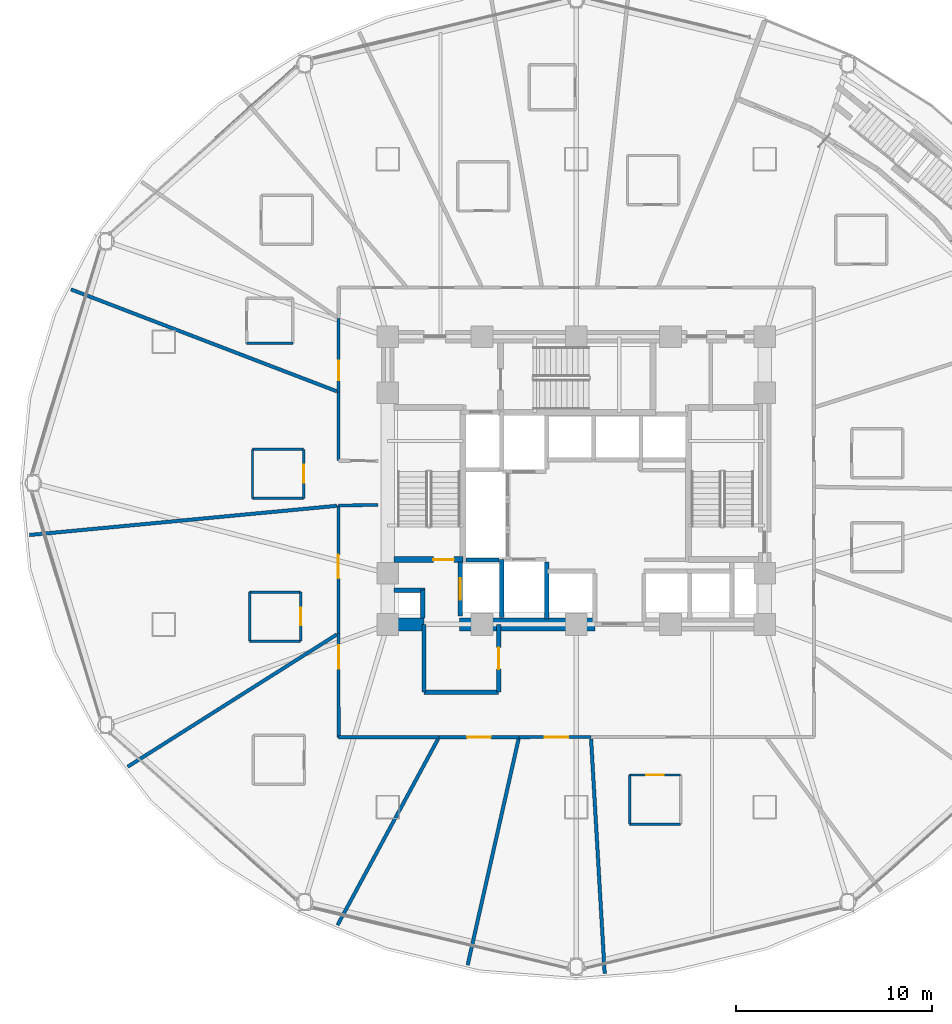
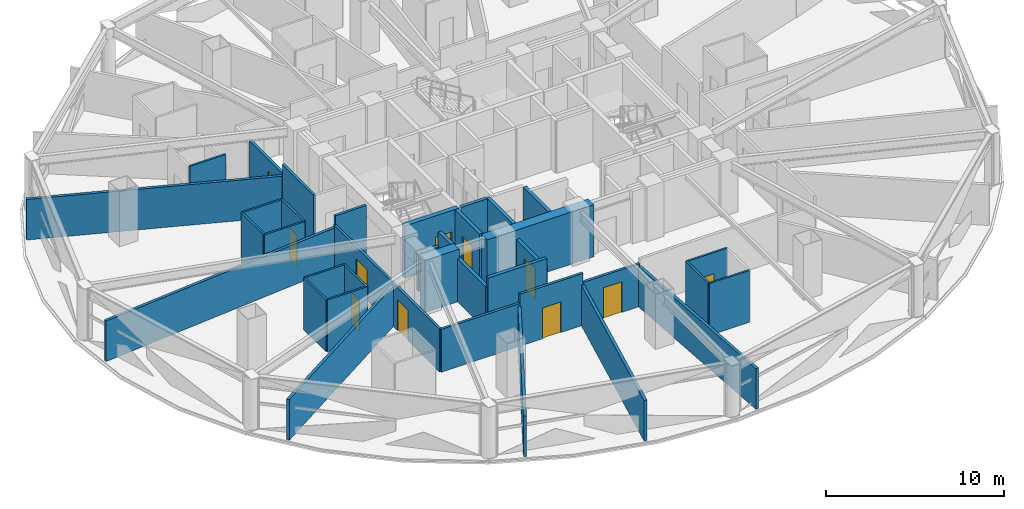
# One storey, part 24 of 33: 38 walls, 11 doors, 11 openings.
"""IFC4 building model written with IfcOpenShell, lengths in metres."""

from ifc_helpers import new_model, si_unit, direction, frame, frame_2d, origin, place, context, subcontext, project, spatial, rectangle, extrude, material, layer, layer_set, type_object, element, fill, save


model = new_model("IFC4")

# Units and contexts
model_context = context("Model", 3, precision=1e-05, world=origin(), true_north=direction((0.0, 1.0)))
body_context = subcontext(model_context, "Body", "Model", "MODEL_VIEW")
ifc_project = project(units=[si_unit("LENGTHUNIT", "METRE"), si_unit("AREAUNIT", "SQUARE_METRE"), si_unit("VOLUMEUNIT", "CUBIC_METRE"), si_unit("PLANEANGLEUNIT", "RADIAN"), si_unit("MASSUNIT", "GRAM", prefix="KILO")], contexts=[model_context])

# Site, building, storey
site_placement = place(None, origin())
site = spatial("IfcSite", under=ifc_project, at=site_placement, CompositionType="ELEMENT")
building_placement = place(site_placement, origin())
building = spatial("IfcBuilding", under=site, at=building_placement, Name="Vantalir Tower", CompositionType="ELEMENT")
storey_placement = place(building_placement, frame((0.0, 0.0, 68.25)))
storey = spatial("IfcBuildingStorey", under=building, at=storey_placement, Name="L16", CompositionType="ELEMENT", Elevation=68.25)

# Walls
ifc_material_1 = material(Name="Moisture-resistant en-suite partition", Category="gypsum")
ifc_layer_1 = layer(ifc_material_1, 0.125)
ifc_layer_set_1 = layer_set([ifc_layer_1], Name="Moisture-resistant en-suite partition")
wall_type_1 = type_object("IfcWallType", Name="WL-BATH-125", PredefinedType="PARTITIONING", material=ifc_layer_set_1)
wall_1_placement = place(storey_placement, frame((14.718017578125, 32.110107421875, 0.0), z_axis=(0.0, 0.0, 1.0), x_axis=(1.0, 0.0, 0.0)))
element("IfcWall", 1, at=wall_1_placement, inside=storey, type_object=wall_type_1, Name="L16 En-suite 07 South Wall", PredefinedType="PARTITIONING", context=body_context, shape_type="SweptSolid", body=[
    extrude(rectangle(XDim=2.35009765625, YDim=0.125, at=frame_2d((1.175048828125, 0.0))), origin(), (0.0, 0.0, 1.0), 3.550048828125),
])
for number, where, z_axis, x_axis, name in (
    (2, (15.014892578125, 24.221923828125, 0.0), (0.0, 0.0, 1.0), (1.0, 0.0, 0.0), "L16 En-suite 08 South Wall"),
    (3, (15.014892578125, 26.721923828125, 0.0), (0.0, 0.0, 1.0), (1.0, 0.0, 0.0), "L16 En-suite 08 North Wall"),
):
    element("IfcWall", number, at=place(storey_placement, frame(where, z_axis=z_axis, x_axis=x_axis)), inside=storey, type_object=wall_type_1, Name=name, PredefinedType="PARTITIONING", context=body_context, shape_type="SweptSolid", body=[
        extrude(rectangle(XDim=2.60009765625, YDim=0.125, at=frame_2d((1.300048828125, 0.0))), origin(), (0.0, 0.0, 1.0), 3.550048828125),
    ])
wall_2_placement = place(storey_placement, frame((15.014892578125, 24.221923828125, 0.0), z_axis=(0.0, 0.0, 1.0), x_axis=(0.0, 1.0, 0.0)))
element("IfcWall", 4, at=wall_2_placement, inside=storey, type_object=wall_type_1, Name="L16 En-suite 08 West Wall", PredefinedType="PARTITIONING", context=body_context, shape_type="SweptSolid", body=[
    extrude(rectangle(XDim=2.5, YDim=0.125, at=frame_2d((1.25, 0.0))), origin(), (0.0, 0.0, 1.0), 3.550048828125),
])

# Wall, opening, door
wall_3_placement = place(storey_placement, frame((17.614990234375, 24.221923828125, 0.0), z_axis=(0.0, 0.0, 1.0), x_axis=(0.0, 1.0, 0.0)))
wall_3 = element("IfcWall", 5, at=wall_3_placement, inside=storey, type_object=wall_type_1, Name="L16 En-suite 08 East Wall", PredefinedType="PARTITIONING", context=body_context, shape_type="SweptSolid", body=[
    extrude(rectangle(XDim=2.5, YDim=0.125, at=frame_2d((1.25, 0.0))), origin(), (0.0, 0.0, 1.0), 3.550048828125),
])
opening_1_placement = place(wall_3_placement, frame((0.800048828125, 0.0, 0.0)))
opening_1 = element("IfcOpeningElement", 6, at=opening_1_placement, cuts=wall_3, Name="Opening D-WC", PredefinedType="OPENING", context=body_context, shape_type="SweptSolid", body=[
    extrude(rectangle(XDim=0.89990234375, YDim=2.10009765625, at=frame_2d((0.449951171875, 1.050048828125))), frame((0.0, 0.072509765625, 0.0), z_axis=(0.0, -1.0, 0.0), x_axis=(1.0, 0.0, 0.0)), (0.0, 0.0, 1.0), 0.14501953125),
])
ifc_material_2 = material(Name="Moisture-resistant hardwood door", Category="wood")
door_type_1 = type_object("IfcDoorType", Name="DR-ENSUITE-900", OperationType="NOTDEFINED", PredefinedType="DOOR", material=ifc_material_2)
door_1_placement = place(opening_1_placement, origin())
door_1 = element("IfcDoor", 7, at=door_1_placement, inside=storey, type_object=door_type_1, Name="L16 En-suite 08 Door", OperationType="SINGLE_SWING_LEFT", OverallHeight=2.10009765625, OverallWidth=0.89990234375, PredefinedType="DOOR", context=body_context, shape_type="SweptSolid", body=[
    extrude(rectangle(XDim=0.89990234375, YDim=2.10009765625, at=frame_2d((0.449951171875, 1.050048828125))), frame((0.0, 0.02490234375, 0.0), z_axis=(0.0, -1.0, 0.0), x_axis=(1.0, 0.0, 0.0)), (0.0, 0.0, 1.0), 0.050048828125),
])
fill(opening_1, door_1)

# Walls
for number, where, z_axis, x_axis, name in (
    (8, (14.867919921875, 16.948974609375, 0.0), (0.0, 0.0, 1.0), (1.0, 0.0, 0.0), "L16 En-suite 09 South Wall"),
    (9, (14.867919921875, 19.448974609375, 0.0), (0.0, 0.0, 1.0), (1.0, 0.0, 0.0), "L16 En-suite 09 North Wall"),
):
    element("IfcWall", number, at=place(storey_placement, frame(where, z_axis=z_axis, x_axis=x_axis)), inside=storey, type_object=wall_type_1, Name=name, PredefinedType="PARTITIONING", context=body_context, shape_type="SweptSolid", body=[
        extrude(rectangle(XDim=2.60009765625, YDim=0.125, at=frame_2d((1.300048828125, 0.0))), origin(), (0.0, 0.0, 1.0), 3.550048828125),
    ])
wall_4_placement = place(storey_placement, frame((14.867919921875, 16.948974609375, 0.0), z_axis=(0.0, 0.0, 1.0), x_axis=(0.0, 1.0, 0.0)))
element("IfcWall", 10, at=wall_4_placement, inside=storey, type_object=wall_type_1, Name="L16 En-suite 09 West Wall", PredefinedType="PARTITIONING", context=body_context, shape_type="SweptSolid", body=[
    extrude(rectangle(XDim=2.5, YDim=0.125, at=frame_2d((1.25, 0.0))), origin(), (0.0, 0.0, 1.0), 3.550048828125),
])

# Wall, opening, door
wall_5_placement = place(storey_placement, frame((17.468017578125, 16.948974609375, 0.0), z_axis=(0.0, 0.0, 1.0), x_axis=(0.0, 1.0, 0.0)))
wall_5 = element("IfcWall", 11, at=wall_5_placement, inside=storey, type_object=wall_type_1, Name="L16 En-suite 09 East Wall", PredefinedType="PARTITIONING", context=body_context, shape_type="SweptSolid", body=[
    extrude(rectangle(XDim=2.5, YDim=0.125, at=frame_2d((1.25, 0.0))), origin(), (0.0, 0.0, 1.0), 3.550048828125),
])
opening_2_placement = place(wall_5_placement, frame((0.800048828125, 0.0, 0.0)))
opening_2 = element("IfcOpeningElement", 12, at=opening_2_placement, cuts=wall_5, Name="Opening D-WC", PredefinedType="OPENING", context=body_context, shape_type="SweptSolid", body=[
    extrude(rectangle(XDim=0.89990234375, YDim=2.10009765625, at=frame_2d((0.449951171875, 1.050048828125))), frame((0.0, 0.072509765625, 0.0), z_axis=(0.0, -1.0, 0.0), x_axis=(1.0, 0.0, 0.0)), (0.0, 0.0, 1.0), 0.14501953125),
])
door_2_placement = place(opening_2_placement, origin())
door_2 = element("IfcDoor", 13, at=door_2_placement, inside=storey, type_object=door_type_1, Name="L16 En-suite 09 Door", OperationType="SINGLE_SWING_RIGHT", OverallHeight=2.10009765625, OverallWidth=0.89990234375, PredefinedType="DOOR", context=body_context, shape_type="SweptSolid", body=[
    extrude(rectangle(XDim=0.89990234375, YDim=2.10009765625, at=frame_2d((0.449951171875, 1.050048828125))), frame((0.0, 0.02490234375, 0.0), z_axis=(0.0, -1.0, 0.0), x_axis=(1.0, 0.0, 0.0)), (0.0, 0.0, 1.0), 0.050048828125),
])
fill(opening_2, door_2)

# Wall
wall_6_placement = place(storey_placement, frame((34.216064453125, 7.635009765625, 0.0), z_axis=(0.0, 0.0, 1.0), x_axis=(1.0, 0.0, 0.0)))
element("IfcWall", 14, at=wall_6_placement, inside=storey, type_object=wall_type_1, Name="L16 En-suite 13 South Wall", PredefinedType="PARTITIONING", context=body_context, shape_type="SweptSolid", body=[
    extrude(rectangle(XDim=2.599853515625, YDim=0.125, at=frame_2d((1.2998046875, 0.0))), origin(), (0.0, 0.0, 1.0), 3.550048828125),
])

# Wall, opening, door
wall_7_placement = place(storey_placement, frame((34.216064453125, 10.135009765625, 0.0), z_axis=(0.0, 0.0, 1.0), x_axis=(1.0, 0.0, 0.0)))
wall_7 = element("IfcWall", 15, at=wall_7_placement, inside=storey, type_object=wall_type_1, Name="L16 En-suite 13 North Wall", PredefinedType="PARTITIONING", context=body_context, shape_type="SweptSolid", body=[
    extrude(rectangle(XDim=2.599853515625, YDim=0.125, at=frame_2d((1.2998046875, 0.0))), origin(), (0.0, 0.0, 1.0), 3.550048828125),
])
opening_3_placement = place(wall_7_placement, frame((0.85009765625, 0.0, 0.0)))
opening_3 = element("IfcOpeningElement", 16, at=opening_3_placement, cuts=wall_7, Name="Opening D-WC", PredefinedType="OPENING", context=body_context, shape_type="SweptSolid", body=[
    extrude(rectangle(XDim=0.89990234375, YDim=2.10009765625, at=frame_2d((0.449951171875, 1.050048828125))), frame((0.0, 0.072509765625, 0.0), z_axis=(0.0, -1.0, 0.0), x_axis=(1.0, 0.0, 0.0)), (0.0, 0.0, 1.0), 0.14501953125),
])
door_3_placement = place(opening_3_placement, frame((0.89990234375, 0.0, 0.0), z_axis=(0.0, 0.0, 1.0), x_axis=(-1.0, 0.0, 0.0)))
door_3 = element("IfcDoor", 17, at=door_3_placement, inside=storey, type_object=door_type_1, Name="L16 En-suite 13 Door", OperationType="SINGLE_SWING_RIGHT", OverallHeight=2.10009765625, OverallWidth=0.89990234375, PredefinedType="DOOR", context=body_context, shape_type="SweptSolid", body=[
    extrude(rectangle(XDim=0.89990234375, YDim=2.10009765625, at=frame_2d((0.449951171875, 1.050048828125))), frame((0.0, 0.02490234375, 0.0), z_axis=(0.0, -1.0, 0.0), x_axis=(1.0, 0.0, 0.0)), (0.0, 0.0, 1.0), 0.050048828125),
])
fill(opening_3, door_3)

# Walls
wall_8_placement = place(storey_placement, frame((34.216064453125, 7.635009765625, 0.0), z_axis=(0.0, 0.0, 1.0), x_axis=(0.0, 1.0, 0.0)))
element("IfcWall", 18, at=wall_8_placement, inside=storey, type_object=wall_type_1, Name="L16 En-suite 13 West Wall", PredefinedType="PARTITIONING", context=body_context, shape_type="SweptSolid", body=[
    extrude(rectangle(XDim=2.5, YDim=0.125, at=frame_2d((1.25, 0.0))), origin(), (0.0, 0.0, 1.0), 3.550048828125),
])
ifc_material_3 = material(Name="Concrete C60/75", Category="concrete")
ifc_layer_2 = layer(ifc_material_3, 0.64990234375)
ifc_layer_set_2 = layer_set([ifc_layer_2], Name="Concrete C60/75")
wall_type_2 = type_object("IfcWallType", Name="WL-CORE-650", PredefinedType="SHEAR", material=ifc_layer_set_2)
wall_9_placement = place(storey_placement, frame((21.574951171875, 17.800048828125, 0.0), z_axis=(0.0, 0.0, 1.0), x_axis=(1.0, 0.0, 0.0)))
element("IfcWall", 19, at=wall_9_placement, inside=storey, type_object=wall_type_2, Name="L16 Core Shear Wall South-West", PredefinedType="SHEAR", context=body_context, shape_type="SweptSolid", body=[
    extrude(rectangle(XDim=2.175048828125, YDim=0.64990234375, at=frame_2d((1.08740234375, 0.0))), origin(), (0.0, 0.0, 1.0), 3.570068359375),
])
wall_10_placement = place(storey_placement, frame((25.550048828125, 17.800048828125, 0.0), z_axis=(0.0, 0.0, 1.0), x_axis=(1.0, 0.0, 0.0)))
element("IfcWall", 20, at=wall_10_placement, inside=storey, type_object=wall_type_2, Name="L16 Core Shear Wall South-Mid", PredefinedType="SHEAR", context=body_context, shape_type="SweptSolid", body=[
    extrude(rectangle(XDim=6.89990234375, YDim=0.64990234375, at=frame_2d((3.449951171875, 0.0))), origin(), (0.0, 0.0, 1.0), 3.570068359375),
])
ifc_material_4 = material(Name="Fire-rated hotel corridor acoustic partition", Category="gypsum")
ifc_layer_3 = layer(ifc_material_4, 0.159912109375)
ifc_layer_set_3 = layer_set([ifc_layer_3], Name="Fire-rated hotel corridor acoustic partition")
wall_type_3 = type_object("IfcWallType", Name="WL-CORR-160", PredefinedType="PARTITIONING", material=ifc_layer_set_3)
wall_11_placement = place(storey_placement, frame((19.385986328125, 26.14208984375, 0.0), z_axis=(0.0, 0.0, 1.0), x_axis=(0.002302533667, 0.999997349166, 0.0)))
element("IfcWall", 21, at=wall_11_placement, inside=storey, type_object=wall_type_3, Name="L16 Corridor Partition 02", PredefinedType="PARTITIONING", context=body_context, shape_type="SweptSolid", body=[
    extrude(rectangle(XDim=3.4990234375, YDim=0.159912109375, at=frame_2d((1.74951171875, 0.0))), origin(), (0.0, 0.0, 1.0), 3.550048828125),
])

# Wall, opening, door
wall_12_placement = place(storey_placement, frame((19.39404296875, 29.64111328125, 0.0), z_axis=(0.0, 0.0, 1.0), x_axis=(0.002413403708, 0.999997087737, 0.0)))
wall_12 = element("IfcWall", 22, at=wall_12_placement, inside=storey, type_object=wall_type_3, Name="L16 Corridor Partition 03", PredefinedType="PARTITIONING", context=body_context, shape_type="SweptSolid", body=[
    extrude(rectangle(XDim=3.742919921875, YDim=0.159912109375, at=frame_2d((1.87158203125, 0.0))), origin(), (0.0, 0.0, 1.0), 2.927978515625),
])
opening_4_placement = place(wall_12_placement, frame((0.587890625, 0.0, 0.0)))
opening_4 = element("IfcOpeningElement", 23, at=opening_4_placement, cuts=wall_12, Name="Opening D-GUEST", PredefinedType="OPENING", context=body_context, shape_type="SweptSolid", body=[
    extrude(rectangle(XDim=1.0, YDim=2.10009765625, at=frame_2d((0.5, 1.050048828125))), frame((0.0, 0.08984375, 0.0), z_axis=(0.0, -1.0, 0.0), x_axis=(1.0, 0.0, 0.0)), (0.0, 0.0, 1.0), 0.179931640625),
])
ifc_material_5 = material(Name="Solid-core teak veneer acoustic fire door", Category="wood")
door_type_2 = type_object("IfcDoorType", Name="DR-GUEST-ENTRY-1000", OperationType="NOTDEFINED", PredefinedType="DOOR", material=ifc_material_5)
door_4_placement = place(opening_4_placement, origin())
door_4 = element("IfcDoor", 24, at=door_4_placement, inside=storey, type_object=door_type_2, Name="L16 Deluxe King Hotel Room 07 Door", OperationType="SINGLE_SWING_RIGHT", OverallHeight=2.10009765625, OverallWidth=1.0, PredefinedType="DOOR", context=body_context, shape_type="SweptSolid", body=[
    extrude(rectangle(XDim=1.0, YDim=2.10009765625, at=frame_2d((0.5, 1.050048828125))), frame((0.0, 0.02490234375, 0.0), z_axis=(0.0, -1.0, 0.0), x_axis=(1.0, 0.0, 0.0)), (0.0, 0.0, 1.0), 0.050048828125),
])
fill(opening_4, door_4)

wall_13_placement = place(storey_placement, frame((32.2509765625, 12.06298828125, 0.0), z_axis=(0.0, 0.0, 1.0), x_axis=(-0.999999858081, -0.000532764975, 0.0)))
wall_13 = element("IfcWall", 25, at=wall_13_placement, inside=storey, type_object=wall_type_3, Name="L16 Corridor Partition 18", PredefinedType="PARTITIONING", context=body_context, shape_type="SweptSolid", body=[
    extrude(rectangle(XDim=3.666015625, YDim=0.159912109375, at=frame_2d((1.8330078125, 0.0))), origin(), (0.0, 0.0, 1.0), 2.927978515625),
])
opening_5_placement = place(wall_13_placement, frame((1.160888671875, 0.0, 0.0)))
opening_5 = element("IfcOpeningElement", 26, at=opening_5_placement, cuts=wall_13, Name="Opening D-STE", PredefinedType="OPENING", context=body_context, shape_type="SweptSolid", body=[
    extrude(rectangle(XDim=1.199951171875, YDim=2.10009765625, at=frame_2d((0.60009765625, 1.050048828125))), frame((0.0, 0.08984375, 0.0), z_axis=(0.0, -1.0, 0.0), x_axis=(1.0, 0.0, 0.0)), (0.0, 0.0, 1.0), 0.179931640625),
])
ifc_material_6 = material(Name="Solid-core teak veneer suite entrance door", Category="wood")
door_type_3 = type_object("IfcDoorType", Name="DR-SUITE-ENTRY-1200", OperationType="NOTDEFINED", PredefinedType="DOOR", material=ifc_material_6)
door_5_placement = place(opening_5_placement, origin())
door_5 = element("IfcDoor", 27, at=door_5_placement, inside=storey, type_object=door_type_3, Name="L16 Executive Sky Boardroom 12 Door", OperationType="SINGLE_SWING_LEFT", OverallHeight=2.10009765625, OverallWidth=1.199951171875, PredefinedType="DOOR", context=body_context, shape_type="SweptSolid", body=[
    extrude(rectangle(XDim=1.199951171875, YDim=2.10009765625, at=frame_2d((0.60009765625, 1.050048828125))), frame((0.0, 0.02490234375, 0.0), z_axis=(0.0, -1.0, 0.0), x_axis=(1.0, 0.0, 0.0)), (0.0, 0.0, 1.0), 0.050048828125),
])
fill(opening_5, door_5)

wall_14_placement = place(storey_placement, frame((28.5849609375, 12.06103515625, 0.0), z_axis=(0.0, 0.0, 1.0), x_axis=(-0.999999741431, -0.000719122484, 0.0)))
wall_14 = element("IfcWall", 28, at=wall_14_placement, inside=storey, type_object=wall_type_3, Name="L16 Corridor Partition 19", PredefinedType="PARTITIONING", context=body_context, shape_type="SweptSolid", body=[
    extrude(rectangle(XDim=4.073974609375, YDim=0.159912109375, at=frame_2d((2.037109375, 0.0))), origin(), (0.0, 0.0, 1.0), 3.550048828125),
])
opening_6_placement = place(wall_14_placement, frame((1.43701171875, 0.0, 0.0)))
opening_6 = element("IfcOpeningElement", 29, at=opening_6_placement, cuts=wall_14, Name="Opening D-STE", PredefinedType="OPENING", context=body_context, shape_type="SweptSolid", body=[
    extrude(rectangle(XDim=1.199951171875, YDim=2.10009765625, at=frame_2d((0.60009765625, 1.050048828125))), frame((0.0, 0.08984375, 0.0), z_axis=(0.0, -1.0, 0.0), x_axis=(1.0, 0.0, 0.0)), (0.0, 0.0, 1.0), 0.179931640625),
])
door_6_placement = place(opening_6_placement, origin())
door_6 = element("IfcDoor", 30, at=door_6_placement, inside=storey, type_object=door_type_3, Name="L16 Club Reading Lounge 11 Door", OperationType="SINGLE_SWING_RIGHT", OverallHeight=2.10009765625, OverallWidth=1.199951171875, PredefinedType="DOOR", context=body_context, shape_type="SweptSolid", body=[
    extrude(rectangle(XDim=1.199951171875, YDim=2.10009765625, at=frame_2d((0.60009765625, 1.050048828125))), frame((0.0, 0.02490234375, 0.0), z_axis=(0.0, -1.0, 0.0), x_axis=(1.0, 0.0, 0.0)), (0.0, 0.0, 1.0), 0.050048828125),
])
fill(opening_6, door_6)

# Wall
wall_15_placement = place(storey_placement, frame((24.510986328125, 12.05810546875, 0.0), z_axis=(0.0, 0.0, 1.0), x_axis=(-0.999999806737, -0.000621711979, 0.0)))
element("IfcWall", 31, at=wall_15_placement, inside=storey, type_object=wall_type_3, Name="L16 Corridor Partition 20", PredefinedType="PARTITIONING", context=body_context, shape_type="SweptSolid", body=[
    extrude(rectangle(XDim=5.10498046875, YDim=0.159912109375, at=frame_2d((2.552490234375, 0.0))), origin(), (0.0, 0.0, 1.0), 2.927978515625),
])

# Wall, opening, door
wall_16_placement = place(storey_placement, frame((19.406005859375, 12.054931640625, 0.0), z_axis=(0.0, 0.0, 1.0), x_axis=(-0.001707269568, 0.999998542614, 0.0)))
wall_16 = element("IfcWall", 32, at=wall_16_placement, inside=storey, type_object=wall_type_3, Name="L16 Corridor Partition 21", PredefinedType="PARTITIONING", context=body_context, shape_type="SweptSolid", body=[
    extrude(rectangle(XDim=5.291015625, YDim=0.159912109375, at=frame_2d((2.6455078125, 0.0))), origin(), (0.0, 0.0, 1.0), 2.927978515625),
])
opening_7_placement = place(wall_16_placement, frame((3.49609375, 0.0, 0.0)))
opening_7 = element("IfcOpeningElement", 33, at=opening_7_placement, cuts=wall_16, Name="Opening D-STE", PredefinedType="OPENING", context=body_context, shape_type="SweptSolid", body=[
    extrude(rectangle(XDim=1.199951171875, YDim=2.10009765625, at=frame_2d((0.60009765625, 1.050048828125))), frame((0.0, 0.08984375, 0.0), z_axis=(0.0, -1.0, 0.0), x_axis=(1.0, 0.0, 0.0)), (0.0, 0.0, 1.0), 0.179931640625),
])
door_7_placement = place(opening_7_placement, origin())
door_7 = element("IfcDoor", 34, at=door_7_placement, inside=storey, type_object=door_type_3, Name="L16 Executive Club Hotel Suite 10 Door", OperationType="SINGLE_SWING_LEFT", OverallHeight=2.10009765625, OverallWidth=1.199951171875, PredefinedType="DOOR", context=body_context, shape_type="SweptSolid", body=[
    extrude(rectangle(XDim=1.199951171875, YDim=2.10009765625, at=frame_2d((0.60009765625, 1.050048828125))), frame((0.0, 0.02490234375, 0.0), z_axis=(0.0, -1.0, 0.0), x_axis=(1.0, 0.0, 0.0)), (0.0, 0.0, 1.0), 0.050048828125),
])
fill(opening_7, door_7)

wall_17_placement = place(storey_placement, frame((19.39697265625, 17.345947265625, 0.0), z_axis=(0.0, 0.0, 1.0), x_axis=(-0.001687096913, 0.999998576851, 0.0)))
wall_17 = element("IfcWall", 35, at=wall_17_placement, inside=storey, type_object=wall_type_3, Name="L16 Corridor Partition 22", PredefinedType="PARTITIONING", context=body_context, shape_type="SweptSolid", body=[
    extrude(rectangle(XDim=6.511962890625, YDim=0.159912109375, at=frame_2d((3.255859375, 0.0))), origin(), (0.0, 0.0, 1.0), 2.927978515625),
])
opening_8_placement = place(wall_17_placement, frame((2.802978515625, 0.0, 0.0)))
opening_8 = element("IfcOpeningElement", 36, at=opening_8_placement, cuts=wall_17, Name="Opening D-STE", PredefinedType="OPENING", context=body_context, shape_type="SweptSolid", body=[
    extrude(rectangle(XDim=1.199951171875, YDim=2.10009765625, at=frame_2d((0.60009765625, 1.050048828125))), frame((0.0, 0.08984375, 0.0), z_axis=(0.0, -1.0, 0.0), x_axis=(1.0, 0.0, 0.0)), (0.0, 0.0, 1.0), 0.179931640625),
])
door_8_placement = place(opening_8_placement, origin())
door_8 = element("IfcDoor", 37, at=door_8_placement, inside=storey, type_object=door_type_3, Name="L16 Corner Panorama Hotel Suite 09 Door", OperationType="SINGLE_SWING_RIGHT", OverallHeight=2.10009765625, OverallWidth=1.199951171875, PredefinedType="DOOR", context=body_context, shape_type="SweptSolid", body=[
    extrude(rectangle(XDim=1.199951171875, YDim=2.10009765625, at=frame_2d((0.60009765625, 1.050048828125))), frame((0.0, 0.02490234375, 0.0), z_axis=(0.0, -1.0, 0.0), x_axis=(1.0, 0.0, 0.0)), (0.0, 0.0, 1.0), 0.050048828125),
])
fill(opening_8, door_8)

# Walls
wall_18_placement = place(storey_placement, frame((19.385986328125, 23.85791015625, 0.0), z_axis=(0.0, 0.0, 1.0), x_axis=(0.999895455379, 0.014459540551, 0.0)))
element("IfcWall", 38, at=wall_18_placement, inside=storey, type_object=wall_type_3, Name="L16 Corridor Partition 23", PredefinedType="PARTITIONING", context=body_context, shape_type="SweptSolid", body=[
    extrude(rectangle(XDim=2.00927734375, YDim=0.159912109375, at=frame_2d((1.004638671875, 0.0))), origin(), (0.0, 0.0, 1.0), 3.550048828125),
])
ifc_material_7 = material(Name="Concrete blockwork with fireboard lining", Category="masonry")
ifc_layer_4 = layer(ifc_material_7, 0.219970703125)
ifc_layer_set_4 = layer_set([ifc_layer_4], Name="Concrete blockwork with fireboard lining")
wall_type_4 = type_object("IfcWallType", Name="WL-FFL-220", PredefinedType="PARTITIONING", material=ifc_layer_set_4)
wall_19_placement = place(storey_placement, frame((30.0, 18.080078125, 0.0), z_axis=(0.0, 0.0, 1.0), x_axis=(0.0, 1.0, 0.0)))
element("IfcWall", 39, at=wall_19_placement, inside=storey, type_object=wall_type_4, Name="L16 Service Lift SV1 East Shaft Wall", PredefinedType="PARTITIONING", context=body_context, shape_type="SweptSolid", body=[
    extrude(rectangle(XDim=2.89990234375, YDim=0.219970703125, at=frame_2d((1.449951171875, 0.0))), origin(), (0.0, 0.0, 1.0), 3.544921875),
])
wall_20_placement = place(storey_placement, frame((23.679931640625, 18.125, 0.0), z_axis=(0.0, 0.0, 1.0), x_axis=(0.0, 1.0, 0.0)))
element("IfcWall", 40, at=wall_20_placement, inside=storey, type_object=wall_type_4, Name="L16 West MEP Riser Wall E", PredefinedType="PARTITIONING", context=body_context, shape_type="SweptSolid", body=[
    extrude(rectangle(XDim=1.425048828125, YDim=0.219970703125, at=frame_2d((0.71240234375, 0.0))), origin(), (0.0, 0.0, 1.0), 3.550048828125),
])
wall_21_placement = place(storey_placement, frame((22.22509765625, 19.550048828125, 0.0), z_axis=(0.0, 0.0, 1.0), x_axis=(1.0, 0.0, 0.0)))
element("IfcWall", 41, at=wall_21_placement, inside=storey, type_object=wall_type_4, Name="L16 West MEP Riser Wall N", PredefinedType="PARTITIONING", context=body_context, shape_type="SweptSolid", body=[
    extrude(rectangle(XDim=1.56494140625, YDim=0.219970703125, at=frame_2d((0.782470703125, 0.0))), origin(), (0.0, 0.0, 1.0), 2.594970703125),
])

# Wall, opening, door
wall_22_placement = place(storey_placement, frame((25.590087890625, 18.219970703125, 0.0), z_axis=(0.0, 0.0, 1.0), x_axis=(0.0, 1.0, 0.0)))
wall_22 = element("IfcWall", 42, at=wall_22_placement, inside=storey, type_object=wall_type_4, Name="L16 Lift FL1 Shaft Front Wall", PredefinedType="PARTITIONING", context=body_context, shape_type="SweptSolid", body=[
    extrude(rectangle(XDim=2.760009765625, YDim=0.219970703125, at=frame_2d((1.3798828125, 0.0))), origin(), (0.0, 0.0, 1.0), 3.550048828125),
])
opening_9_placement = place(wall_22_placement, frame((0.830078125, 0.0, 0.0)))
opening_9 = element("IfcOpeningElement", 43, at=opening_9_placement, cuts=wall_22, Name="Opening LD-FL1", PredefinedType="OPENING", context=body_context, shape_type="SweptSolid", body=[
    extrude(rectangle(XDim=1.10009765625, YDim=2.199951171875, at=frame_2d((0.550048828125, 1.10009765625))), frame((0.0, 0.119873046875, 0.0), z_axis=(0.0, -1.0, 0.0), x_axis=(1.0, 0.0, 0.0)), (0.0, 0.0, 1.0), 0.239990234375),
])
ifc_material_8 = material(Name="Brushed stainless-steel sliding lift landing door", Category="steel")
door_type_4 = type_object("IfcDoorType", Name="DR-LIFT-LANDING-1100", OperationType="DOUBLE_DOOR_SLIDING", PredefinedType="DOOR", material=ifc_material_8)
door_9_placement = place(opening_9_placement, origin())
door_9 = element("IfcDoor", 44, at=door_9_placement, inside=storey, type_object=door_type_4, Name="L16 Lift Landing Door FL1", OperationType="DOUBLE_DOOR_SLIDING", OverallHeight=2.199951171875, OverallWidth=1.10009765625, PredefinedType="DOOR", context=body_context, shape_type="SweptSolid", body=[
    extrude(rectangle(XDim=1.10009765625, YDim=2.199951171875, at=frame_2d((0.550048828125, 1.10009765625))), frame((0.0, 0.02490234375, 0.0), z_axis=(0.0, -1.0, 0.0), x_axis=(1.0, 0.0, 0.0)), (0.0, 0.0, 1.0), 0.050048828125),
])
fill(opening_9, door_9)

# Walls
wall_23_placement = place(storey_placement, frame((27.699951171875, 18.14990234375, 0.0), z_axis=(0.0, 0.0, 1.0), x_axis=(0.0, 1.0, 0.0)))
element("IfcWall", 45, at=wall_23_placement, inside=storey, type_object=wall_type_4, Name="L16 Fire Lift FL1 Dividing Wall", PredefinedType="PARTITIONING", context=body_context, shape_type="SweptSolid", body=[
    extrude(rectangle(XDim=2.9501953125, YDim=0.219970703125, at=frame_2d((1.47509765625, 0.0))), origin(), (0.0, 0.0, 1.0), 3.550048828125),
])
wall_24_placement = place(storey_placement, frame((25.8798828125, 21.080078125, 0.0), z_axis=(0.0, 0.0, 1.0), x_axis=(1.0, 0.0, 0.0)))
element("IfcWall", 46, at=wall_24_placement, inside=storey, type_object=wall_type_4, Name="L16 Low-Rise Bank South Wall", PredefinedType="PARTITIONING", context=body_context, shape_type="SweptSolid", body=[
    extrude(rectangle(XDim=1.7001953125, YDim=0.219970703125, at=frame_2d((0.85009765625, 0.0))), origin(), (0.0, 0.0, 1.0), 3.550048828125),
])
wall_25_placement = place(storey_placement, frame((23.75, 14.35009765625, 0.0), z_axis=(0.0, 0.0, 1.0), x_axis=(0.0, 1.0, 0.0)))
element("IfcWall", 47, at=wall_25_placement, inside=storey, type_object=wall_type_4, Name="L16 Firefighting Lobby West Outer W", PredefinedType="PARTITIONING", context=body_context, shape_type="SweptSolid", body=[
    extrude(rectangle(XDim=3.449951171875, YDim=0.219970703125, at=frame_2d((1.72509765625, 0.0))), origin(), (0.0, 0.0, 1.0), 2.927978515625),
])
wall_26_placement = place(storey_placement, frame((23.75, 14.35009765625, 0.0), z_axis=(0.0, 0.0, 1.0), x_axis=(1.0, 0.0, 0.0)))
element("IfcWall", 48, at=wall_26_placement, inside=storey, type_object=wall_type_4, Name="L16 Firefighting Lobby West South Wall", PredefinedType="PARTITIONING", context=body_context, shape_type="SweptSolid", body=[
    extrude(rectangle(XDim=3.800048828125, YDim=0.219970703125, at=frame_2d((1.89990234375, 0.0))), origin(), (0.0, 0.0, 1.0), 3.550048828125),
])

# Wall, opening, door
wall_27_placement = place(storey_placement, frame((27.550048828125, 14.35009765625, 0.0), z_axis=(0.0, 0.0, 1.0), x_axis=(0.0, 1.0, 0.0)))
wall_27 = element("IfcWall", 49, at=wall_27_placement, inside=storey, type_object=wall_type_4, Name="L16 Firefighting Lobby West East Wall", PredefinedType="PARTITIONING", context=body_context, shape_type="SweptSolid", body=[
    extrude(rectangle(XDim=3.449951171875, YDim=0.219970703125, at=frame_2d((1.72509765625, 0.0))), origin(), (0.0, 0.0, 1.0), 2.927978515625),
])
opening_10_placement = place(wall_27_placement, frame((1.175048828125, 0.0, 0.0)))
opening_10 = element("IfcOpeningElement", 50, at=opening_10_placement, cuts=wall_27, Name="Opening D-FFL", PredefinedType="OPENING", context=body_context, shape_type="SweptSolid", body=[
    extrude(rectangle(XDim=1.10009765625, YDim=2.10009765625, at=frame_2d((0.550048828125, 1.050048828125))), frame((0.0, 0.119873046875, 0.0), z_axis=(0.0, -1.0, 0.0), x_axis=(1.0, 0.0, 0.0)), (0.0, 0.0, 1.0), 0.239990234375),
])
ifc_material_9 = material(Name="Fire-rated acoustic steel door", Category="steel")
door_type_5 = type_object("IfcDoorType", Name="DR-FIRE-LOBBY-1100", OperationType="NOTDEFINED", PredefinedType="DOOR", material=ifc_material_9)
door_10_placement = place(opening_10_placement, origin())
door_10 = element("IfcDoor", 51, at=door_10_placement, inside=storey, type_object=door_type_5, Name="L16 Firefighting Lobby West Access Door", OperationType="SINGLE_SWING_LEFT", OverallHeight=2.10009765625, OverallWidth=1.10009765625, PredefinedType="DOOR", context=body_context, shape_type="SweptSolid", body=[
    extrude(rectangle(XDim=1.10009765625, YDim=2.10009765625, at=frame_2d((0.550048828125, 1.050048828125))), frame((0.0, 0.02490234375, 0.0), z_axis=(0.0, -1.0, 0.0), x_axis=(1.0, 0.0, 0.0)), (0.0, 0.0, 1.0), 0.050048828125),
])
fill(opening_10, door_10)

# Walls
ifc_material_10 = material(Name="Twin-stud acoustic fire-rated gypsum partition", Category="gypsum")
ifc_layer_5 = layer(ifc_material_10, 0.179931640625)
ifc_layer_set_5 = layer_set([ifc_layer_5], Name="Twin-stud acoustic fire-rated gypsum partition")
wall_type_5 = type_object("IfcWallType", Name="WL-GUEST-180", PredefinedType="PARTITIONING", material=ifc_layer_set_5)
wall_28_placement = place(storey_placement, frame((19.31005859375, 29.673095703125, 0.0), z_axis=(0.0, 0.0, 1.0), x_axis=(-0.933727737287, 0.357983955815, 0.0)))
element("IfcWall", 52, at=wall_28_placement, inside=storey, type_object=wall_type_5, Name="L16 Radial Suite Partition 08", PredefinedType="PARTITIONING", context=body_context, shape_type="SweptSolid", body=[
    extrude(rectangle(XDim=14.503173828125, YDim=0.179931640625, at=frame_2d((7.25146484375, 0.0))), origin(), (0.0, 0.0, 1.0), 2.77490234375),
])
wall_29_placement = place(storey_placement, frame((19.31005859375, 23.843017578125, 0.0), z_axis=(0.0, 0.0, 1.0), x_axis=(-0.995522442318, -0.094525482496, 0.0)))
element("IfcWall", 53, at=wall_29_placement, inside=storey, type_object=wall_type_5, Name="L16 Radial Suite Partition 09", PredefinedType="PARTITIONING", context=body_context, shape_type="SweptSolid", body=[
    extrude(rectangle(XDim=15.721435546875, YDim=0.179931640625, at=frame_2d((7.86083984375, 0.0))), origin(), (0.0, 0.0, 1.0), 2.77490234375),
])
wall_30_placement = place(storey_placement, frame((19.31005859375, 17.291015625, 0.0), z_axis=(0.0, 0.0, 1.0), x_axis=(-0.84517707773, -0.534486395785, 0.0)))
element("IfcWall", 54, at=wall_30_placement, inside=storey, type_object=wall_type_5, Name="L16 Radial Suite Partition 10", PredefinedType="PARTITIONING", context=body_context, shape_type="SweptSolid", body=[
    extrude(rectangle(XDim=12.60107421875, YDim=0.179931640625, at=frame_2d((6.300537109375, 0.0))), origin(), (0.0, 0.0, 1.0), 2.77490234375),
])
wall_31_placement = place(storey_placement, frame((24.466064453125, 11.97509765625, 0.0), z_axis=(0.0, 0.0, 1.0), x_axis=(-0.475162594679, -0.87989801035, 0.0)))
element("IfcWall", 55, at=wall_31_placement, inside=storey, type_object=wall_type_5, Name="L16 Radial Suite Partition 11", PredefinedType="PARTITIONING", context=body_context, shape_type="SweptSolid", body=[
    extrude(rectangle(XDim=10.777587890625, YDim=0.179931640625, at=frame_2d((5.388671875, 0.0))), origin(), (0.0, 0.0, 1.0), 2.77490234375),
])
wall_32_placement = place(storey_placement, frame((28.56591796875, 11.97509765625, 0.0), z_axis=(0.0, 0.0, 1.0), x_axis=(-0.219725756809, -0.975561680159, 0.0)))
element("IfcWall", 56, at=wall_32_placement, inside=storey, type_object=wall_type_5, Name="L16 Radial Suite Partition 12", PredefinedType="PARTITIONING", context=body_context, shape_type="SweptSolid", body=[
    extrude(rectangle(XDim=11.8056640625, YDim=0.179931640625, at=frame_2d((5.90283203125, 0.0))), origin(), (0.0, 0.0, 1.0), 2.77490234375),
])
wall_33_placement = place(storey_placement, frame((32.256103515625, 11.97509765625, 0.0), z_axis=(0.0, 0.0, 1.0), x_axis=(0.057931049229, -0.998320586553, 0.0)))
element("IfcWall", 57, at=wall_33_placement, inside=storey, type_object=wall_type_5, Name="L16 Radial Suite Partition 13", PredefinedType="PARTITIONING", context=body_context, shape_type="SweptSolid", body=[
    extrude(rectangle(XDim=11.960205078125, YDim=0.179931640625, at=frame_2d((5.97998046875, 0.0))), origin(), (0.0, 0.0, 1.0), 2.77490234375),
])

# Wall, opening, door
ifc_material_11 = material(Name="Concrete C50/60", Category="concrete")
ifc_layer_6 = layer(ifc_material_11, 0.300048828125)
ifc_layer_set_6 = layer_set([ifc_layer_6], Name="Concrete C50/60")
wall_type_6 = type_object("IfcWallType", Name="WL-STAIR-300", PredefinedType="SHEAR", material=ifc_layer_set_6)
wall_34_placement = place(storey_placement, frame((22.22509765625, 21.10009765625, 0.0), z_axis=(0.0, 0.0, 1.0), x_axis=(1.0, 0.0, 0.0)))
wall_34 = element("IfcWall", 58, at=wall_34_placement, inside=storey, type_object=wall_type_6, Name="L16 Stair ST1 South Wall", PredefinedType="SHEAR", context=body_context, shape_type="SweptSolid", body=[
    extrude(rectangle(XDim=3.514892578125, YDim=0.300048828125, at=frame_2d((1.75732421875, 0.0))), origin(), (0.0, 0.0, 1.0), 3.570068359375),
])
opening_11_placement = place(wall_34_placement, frame((1.9951171875, 0.0, 0.0)))
opening_11 = element("IfcOpeningElement", 59, at=opening_11_placement, cuts=wall_34, Name="Opening D-ST", PredefinedType="OPENING", context=body_context, shape_type="SweptSolid", body=[
    extrude(rectangle(XDim=1.050048828125, YDim=2.10009765625, at=frame_2d((0.52490234375, 1.050048828125))), frame((0.0, 0.159912109375, 0.0), z_axis=(0.0, -1.0, 0.0), x_axis=(1.0, 0.0, 0.0)), (0.0, 0.0, 1.0), 0.320068359375),
])
ifc_material_12 = material(Name="Fire-rated steel door leaf", Category="steel")
door_type_6 = type_object("IfcDoorType", Name="DR-FIRE-STAIR-1050", OperationType="NOTDEFINED", PredefinedType="DOOR", material=ifc_material_12)
door_11_placement = place(opening_11_placement, origin())
door_11 = element("IfcDoor", 60, at=door_11_placement, inside=storey, type_object=door_type_6, Name="L16 Exit Stair ST1 Fire Door", OperationType="SINGLE_SWING_LEFT", OverallHeight=2.10009765625, OverallWidth=1.050048828125, PredefinedType="DOOR", context=body_context, shape_type="SweptSolid", body=[
    extrude(rectangle(XDim=1.050048828125, YDim=2.10009765625, at=frame_2d((0.52490234375, 1.050048828125))), frame((0.0, 0.02490234375, 0.0), z_axis=(0.0, -1.0, 0.0), x_axis=(1.0, 0.0, 0.0)), (0.0, 0.0, 1.0), 0.050048828125),
])
fill(opening_11, door_11)

save(model, "model.ifc")
